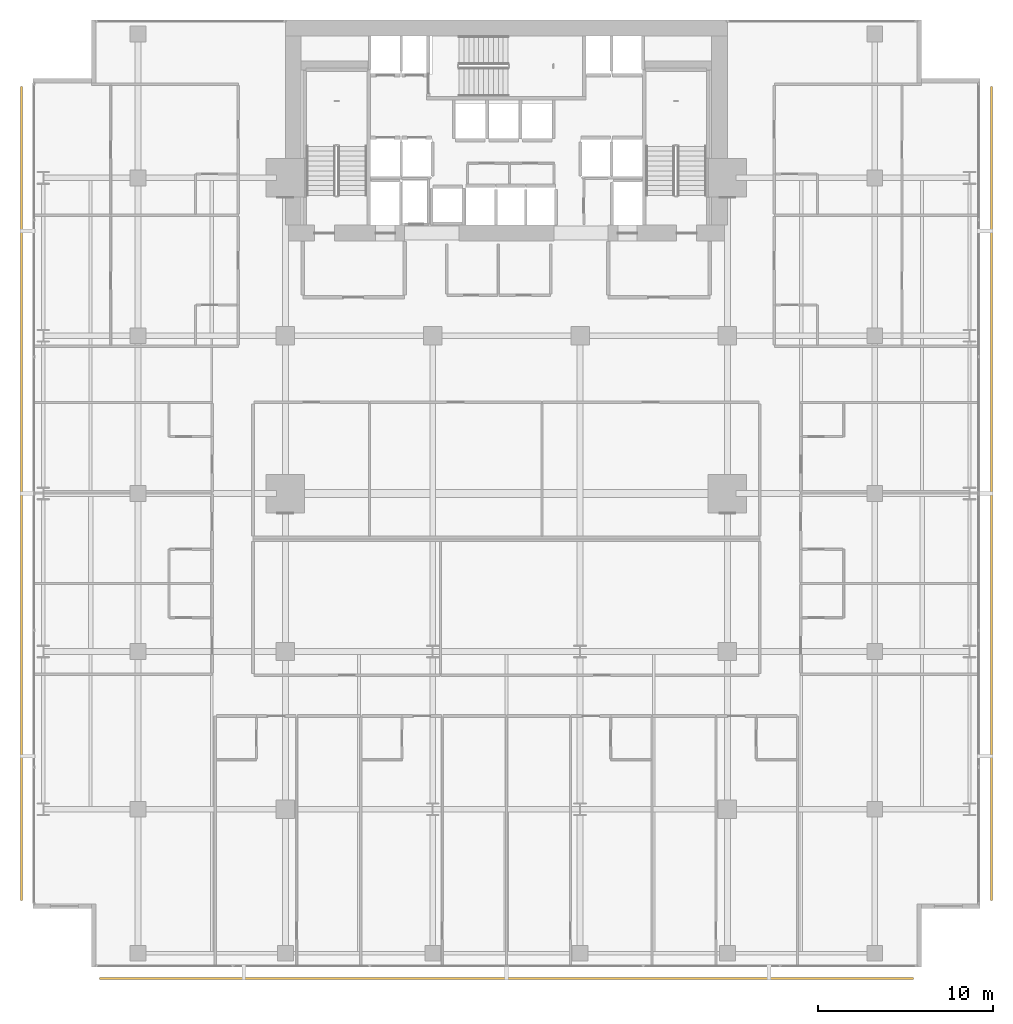
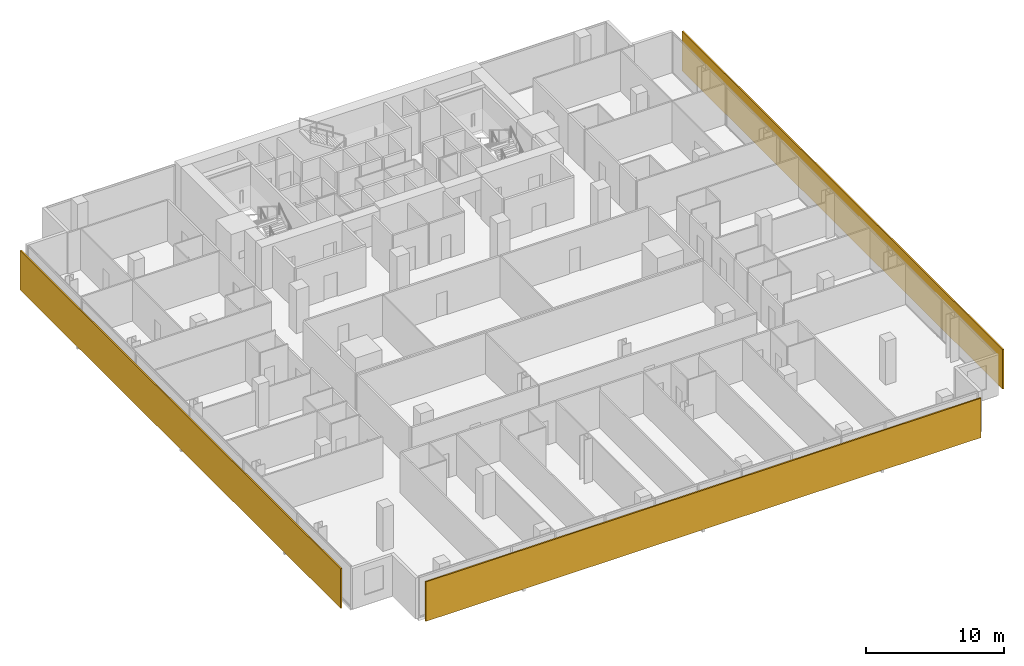
# One storey, part 39 of 40: 3 shading devices.
"""IFC4 building model written with IfcOpenShell, lengths in metres."""

from ifc_helpers import new_model, si_unit, direction, frame, origin, origin_2d, place, context, subcontext, project, spatial, rectangle, extrude, material, layer, layer_set, type_object, element, save


model = new_model("IFC4")

# Units and contexts
model_context = context("Model", 3, precision=1e-05, world=origin(), true_north=direction((0.0, 1.0)))
body_context = subcontext(model_context, "Body", "Model", "MODEL_VIEW")
ifc_project = project(units=[si_unit("LENGTHUNIT", "METRE"), si_unit("AREAUNIT", "SQUARE_METRE"), si_unit("VOLUMEUNIT", "CUBIC_METRE"), si_unit("PLANEANGLEUNIT", "RADIAN"), si_unit("MASSUNIT", "GRAM", prefix="KILO")], contexts=[model_context])

# Site, building, storey
site_placement = place(None, origin())
site = spatial("IfcSite", under=ifc_project, at=site_placement, CompositionType="ELEMENT")
building_placement = place(site_placement, origin())
building = spatial("IfcBuilding", under=site, at=building_placement, Name="Maruvema Waterfront Hotel and Observation Tower", CompositionType="ELEMENT")
storey_placement = place(building_placement, frame((0.0, 0.0, 50.050048828125)))
storey = spatial("IfcBuildingStorey", under=building, at=storey_placement, Name="L11", CompositionType="ELEMENT", Elevation=50.050048828125)

# Shading devices
ifc_material = material(Name="Honed travertine stone and anodised architectural bronze", Category="masonry")
ifc_layer = layer(ifc_material, 0.1201171875, Name="Ventilated Outer Skin Cobogo Stone-and-Bronze Screen 120 mm")
ifc_layer_set = layer_set([ifc_layer], Name="Honed travertine stone and anodised architectural bronze")
shading_device_type = type_object("IfcShadingDeviceType", Name="Ventilated Outer Skin Cobogo Stone-and-Bronze Screen 120 mm", PredefinedType="USERDEFINED", material=ifc_layer_set)
for number, where, z_axis, x_axis, name in (
    (1, (37.800048828125, -0.64990234375, 0.06005859375), (0.0, 0.0, 1.0), (1.0, 0.0, 0.0), "L11 Ventilated Double-Skin Outer Cobogo Screen OS-L11-S"),
    (2, (65.449951171875, 27.0, 0.06005859375), (0.0, 0.0, 1.0), (0.0, 1.0, 0.0), "L11 Ventilated Double-Skin Outer Cobogo Screen OS-L11-E"),
    (3, (10.14990234375, 27.0, 0.06005859375), (0.0, 0.0, 1.0), (0.0, -1.0, 0.0), "L11 Ventilated Double-Skin Outer Cobogo Screen OS-L11-W"),
):
    element("IfcShadingDevice", number, at=place(storey_placement, frame(where, z_axis=z_axis, x_axis=x_axis)), inside=storey, type_object=shading_device_type, Name=name, ObjectType="OUTER SKIN SCREEN", PredefinedType="USERDEFINED", context=body_context, shape_type="SweptSolid", body=[
        extrude(rectangle(XDim=46.39990234375, YDim=0.1201171875, at=origin_2d()), origin(), (0.0, 0.0, 1.0), 3.489990234375),
    ])

save(model, "model.ifc")
